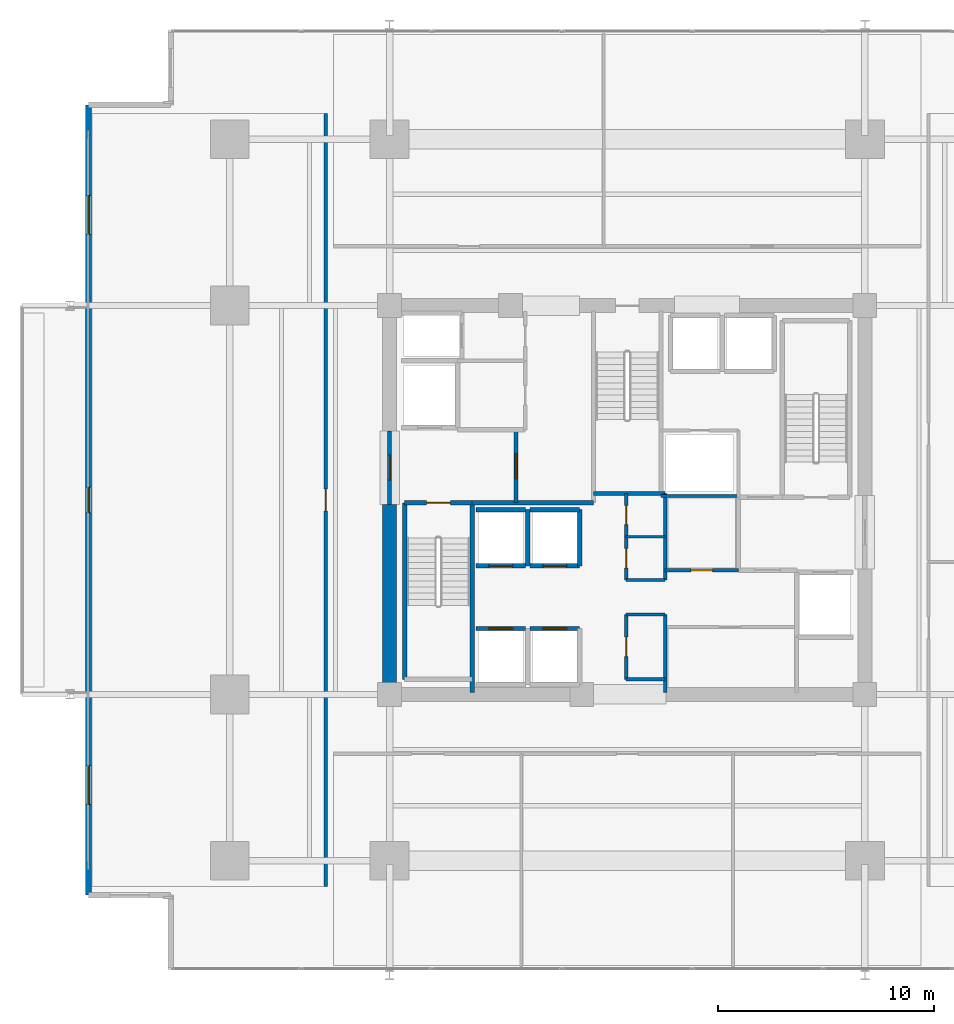
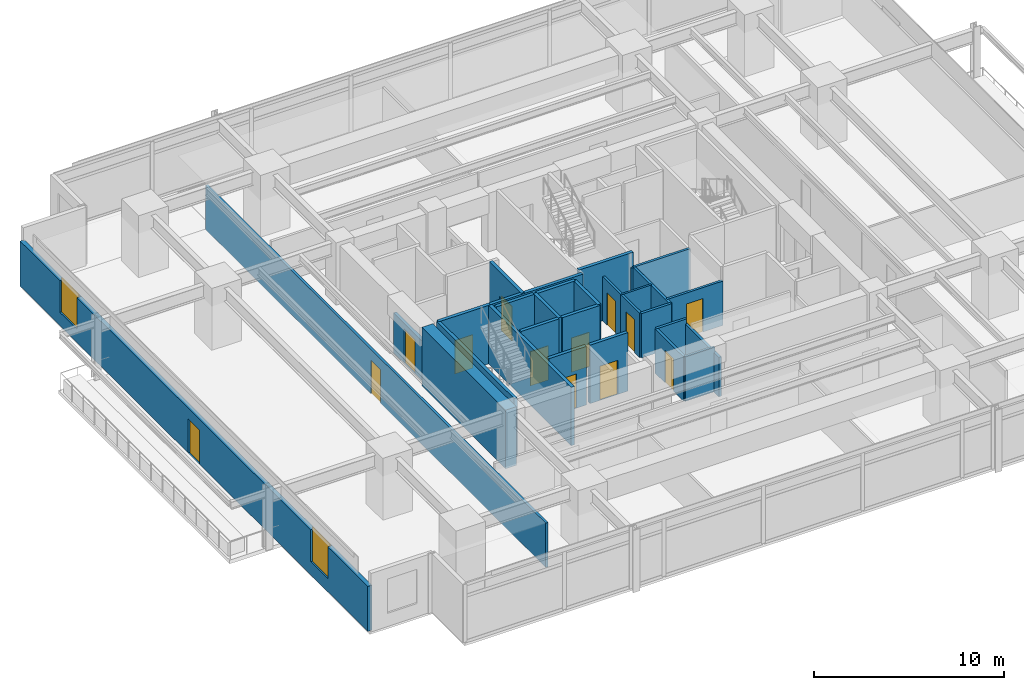
# One storey, part 15 of 21: 29 walls, 13 doors, 2 windows, 15 openings.
"""IFC4 building model written with IfcOpenShell, lengths in metres."""

from ifc_helpers import new_model, si_unit, direction, frame, frame_2d, origin, place, context, subcontext, project, spatial, rectangle, extrude, material, layer, layer_set, type_object, element, fill, save


model = new_model("IFC4")

# Units and contexts
model_context = context("Model", 3, precision=1e-05, world=origin(), true_north=direction((0.0, 1.0)))
body_context = subcontext(model_context, "Body", "Model", "MODEL_VIEW")
ifc_project = project(units=[si_unit("LENGTHUNIT", "METRE"), si_unit("AREAUNIT", "SQUARE_METRE"), si_unit("VOLUMEUNIT", "CUBIC_METRE"), si_unit("PLANEANGLEUNIT", "RADIAN"), si_unit("MASSUNIT", "GRAM", prefix="KILO")], contexts=[model_context])

# Site, building, storey
site_placement = place(None, origin())
site = spatial("IfcSite", under=ifc_project, at=site_placement, CompositionType="ELEMENT")
building_placement = place(site_placement, origin())
building = spatial("IfcBuilding", under=site, at=building_placement, Name="Kovane Verandah Tower", CompositionType="ELEMENT")
storey_placement = place(building_placement, frame((0.0, 0.0, 31.60009765625)))
storey = spatial("IfcBuildingStorey", under=building, at=storey_placement, Name="L06", CompositionType="ELEMENT", Elevation=31.60009765625)

# Walls
ifc_material_1 = material(Name="Fire-Rated Gypsum Stud Partition", Category="gypsum")
ifc_layer_1 = layer(ifc_material_1, 0.14990234375)
ifc_layer_set_1 = layer_set([ifc_layer_1], Name="Fire-Rated Gypsum Stud Partition")
wall_type_1 = type_object("IfcWallType", Name="WL-COR-150", PredefinedType="PARTITIONING", material=ifc_layer_set_1)
for number, where, z_axis, x_axis, name in (
    (1, (39.949951171875, 19.199951171875, 0.0), (0.0, 0.0, 1.0), (1.0, 0.0, 0.0), "L06 Central Core Strip South Wall"),
    (2, (39.949951171875, 22.199951171875, 0.0), (0.0, 0.0, 1.0), (1.0, 0.0, 0.0), "L06 Core Cross-Passage South Wall"),
    (3, (39.949951171875, 23.800048828125, 0.0), (0.0, 0.0, 1.0), (1.0, 0.0, 0.0), "L06 Core Cross-Passage North Wall"),
):
    element("IfcWall", number, at=place(storey_placement, frame(where, z_axis=z_axis, x_axis=x_axis)), inside=storey, type_object=wall_type_1, Name=name, PredefinedType="PARTITIONING", context=body_context, shape_type="SweptSolid", body=[
        extrude(rectangle(XDim=1.81005859375, YDim=0.14990234375, at=frame_2d((0.905029296875, 0.0))), origin(), (0.0, 0.0, 1.0), 2.849853515625),
    ])
wall_1_placement = place(storey_placement, frame((41.760009765625, 18.60009765625, 0.0), z_axis=(0.0, 0.0, 1.0), x_axis=(0.0, 1.0, 0.0)))
element("IfcWall", 4, at=wall_1_placement, inside=storey, type_object=wall_type_1, Name="L06 Central Core Strip Lower East Wall", PredefinedType="PARTITIONING", context=body_context, shape_type="SweptSolid", body=[
    extrude(rectangle(XDim=3.599853515625, YDim=0.14990234375, at=frame_2d((1.7998046875, 0.0))), origin(), (0.0, 0.0, 1.0), 2.539794921875),
])
wall_2_placement = place(storey_placement, frame((41.760009765625, 23.800048828125, 0.0), z_axis=(0.0, 0.0, 1.0), x_axis=(0.0, 1.0, 0.0)))
element("IfcWall", 5, at=wall_2_placement, inside=storey, type_object=wall_type_1, Name="L06 Central Core Strip Upper East Wall", PredefinedType="PARTITIONING", context=body_context, shape_type="SweptSolid", body=[
    extrude(rectangle(XDim=4.0, YDim=0.14990234375, at=frame_2d((2.0, 0.0))), origin(), (0.0, 0.0, 1.0), 2.849853515625),
])

# Wall, opening, door
wall_3_placement = place(storey_placement, frame((39.949951171875, 19.199951171875, 0.0), z_axis=(0.0, 0.0, 1.0), x_axis=(0.0, 1.0, 0.0)))
wall_3 = element("IfcWall", 6, at=wall_3_placement, inside=storey, type_object=wall_type_1, Name="L06 Male Toilet Partition", PredefinedType="PARTITIONING", context=body_context, shape_type="SweptSolid", body=[
    extrude(rectangle(XDim=3.0, YDim=0.14990234375, at=frame_2d((1.5, 0.0))), origin(), (0.0, 0.0, 1.0), 2.849853515625),
])
opening_1_placement = place(wall_3_placement, frame((1.050048828125, 0.0, 0.0)))
opening_1 = element("IfcOpeningElement", 7, at=opening_1_placement, cuts=wall_3, Name="Opening DR-L06-025", PredefinedType="OPENING", context=body_context, shape_type="SweptSolid", body=[
    extrude(rectangle(XDim=0.89990234375, YDim=2.10009765625, at=frame_2d((0.449951171875, 1.050048828125))), frame((0.0, 0.074951171875, 0.0), z_axis=(0.0, -1.0, 0.0), x_axis=(1.0, 0.0, 0.0)), (0.0, 0.0, 1.0), 0.14990234375),
])
ifc_material_2 = material(Name="Moisture-Resistant Laminate Washroom Door", Category="wood")
door_type_1 = type_object("IfcDoorType", Name="DR-WC-900", OperationType="SINGLE_SWING_LEFT", PredefinedType="DOOR", material=ifc_material_2)
door_1_placement = place(opening_1_placement, origin())
door_1 = element("IfcDoor", 8, at=door_1_placement, inside=storey, type_object=door_type_1, Name="L06 Male Toilet Door", OperationType="SINGLE_SWING_RIGHT", OverallHeight=2.10009765625, OverallWidth=0.89990234375, PredefinedType="DOOR", context=body_context, shape_type="SweptSolid", body=[
    extrude(rectangle(XDim=0.89990234375, YDim=2.10009765625, at=frame_2d((0.449951171875, 1.050048828125))), frame((0.0, 0.02490234375, 0.0), z_axis=(0.0, -1.0, 0.0), x_axis=(1.0, 0.0, 0.0)), (0.0, 0.0, 1.0), 0.050048828125),
])
fill(opening_1, door_1)

wall_4_placement = place(storey_placement, frame((39.949951171875, 23.800048828125, 0.0), z_axis=(0.0, 0.0, 1.0), x_axis=(0.0, 1.0, 0.0)))
wall_4 = element("IfcWall", 9, at=wall_4_placement, inside=storey, type_object=wall_type_1, Name="L06 Female Toilet Partition", PredefinedType="PARTITIONING", context=body_context, shape_type="SweptSolid", body=[
    extrude(rectangle(XDim=2.0, YDim=0.14990234375, at=frame_2d((1.0, 0.0))), origin(), (0.0, 0.0, 1.0), 2.849853515625),
])
opening_2_placement = place(wall_4_placement, frame((0.550048828125, 0.0, 0.0)))
opening_2 = element("IfcOpeningElement", 10, at=opening_2_placement, cuts=wall_4, Name="Opening DR-L06-024", PredefinedType="OPENING", context=body_context, shape_type="SweptSolid", body=[
    extrude(rectangle(XDim=0.89990234375, YDim=2.10009765625, at=frame_2d((0.449951171875, 1.050048828125))), frame((0.0, 0.074951171875, 0.0), z_axis=(0.0, -1.0, 0.0), x_axis=(1.0, 0.0, 0.0)), (0.0, 0.0, 1.0), 0.14990234375),
])
door_2_placement = place(opening_2_placement, origin())
door_2 = element("IfcDoor", 11, at=door_2_placement, inside=storey, type_object=door_type_1, Name="L06 Female Toilet Door", OperationType="SINGLE_SWING_LEFT", OverallHeight=2.10009765625, OverallWidth=0.89990234375, PredefinedType="DOOR", context=body_context, shape_type="SweptSolid", body=[
    extrude(rectangle(XDim=0.89990234375, YDim=2.10009765625, at=frame_2d((0.449951171875, 1.050048828125))), frame((0.0, 0.02490234375, 0.0), z_axis=(0.0, -1.0, 0.0), x_axis=(1.0, 0.0, 0.0)), (0.0, 0.0, 1.0), 0.050048828125),
])
fill(opening_2, door_2)

wall_5_placement = place(storey_placement, frame((39.949951171875, 25.800048828125, 0.0), z_axis=(0.0, 0.0, 1.0), x_axis=(0.0, 1.0, 0.0)))
wall_5 = element("IfcWall", 12, at=wall_5_placement, inside=storey, type_object=wall_type_1, Name="L06 Telecom and BMS Riser Room Partition", PredefinedType="PARTITIONING", context=body_context, shape_type="SweptSolid", body=[
    extrude(rectangle(XDim=2.0, YDim=0.14990234375, at=frame_2d((1.0, 0.0))), origin(), (0.0, 0.0, 1.0), 2.849853515625),
])
opening_3_placement = place(wall_5_placement, frame((0.56005859375, 0.0, 0.0)))
opening_3 = element("IfcOpeningElement", 13, at=opening_3_placement, cuts=wall_5, Name="Opening DR-L06-022", PredefinedType="OPENING", context=body_context, shape_type="SweptSolid", body=[
    extrude(rectangle(XDim=0.8798828125, YDim=2.10009765625, at=frame_2d((0.43994140625, 1.050048828125))), frame((0.0, 0.074951171875, 0.0), z_axis=(0.0, -1.0, 0.0), x_axis=(1.0, 0.0, 0.0)), (0.0, 0.0, 1.0), 0.14990234375),
])
ifc_material_3 = material(Name="Fire-Rated Steel Riser Access Door", Category="steel")
door_type_2 = type_object("IfcDoorType", Name="DR-RISER-880", OperationType="SINGLE_SWING_LEFT", PredefinedType="DOOR", material=ifc_material_3)
door_3_placement = place(opening_3_placement, origin())
door_3 = element("IfcDoor", 14, at=door_3_placement, inside=storey, type_object=door_type_2, Name="L06 Telecom and BMS Riser Room Door", OperationType="SINGLE_SWING_RIGHT", OverallHeight=2.10009765625, OverallWidth=0.8798828125, PredefinedType="DOOR", context=body_context, shape_type="SweptSolid", body=[
    extrude(rectangle(XDim=0.8798828125, YDim=2.10009765625, at=frame_2d((0.43994140625, 1.050048828125))), frame((0.0, 0.02490234375, 0.0), z_axis=(0.0, -1.0, 0.0), x_axis=(1.0, 0.0, 0.0)), (0.0, 0.0, 1.0), 0.050048828125),
])
fill(opening_3, door_3)

# Wall
wall_6_placement = place(storey_placement, frame((41.56005859375, 27.679931640625, 0.0), z_axis=(0.0, 0.0, 1.0), x_axis=(1.0, 0.0, 0.0)))
element("IfcWall", 15, at=wall_6_placement, inside=storey, type_object=wall_type_1, Name="L06 East Core Service Riser South Wall", PredefinedType="PARTITIONING", context=body_context, shape_type="SweptSolid", body=[
    extrude(rectangle(XDim=3.58984375, YDim=0.14990234375, at=frame_2d((1.794921875, 0.0))), origin(), (0.0, 0.0, 1.0), 2.849853515625),
])

# Wall, opening, door
wall_7_placement = place(storey_placement, frame((41.760009765625, 24.25, 0.0), z_axis=(0.0, 0.0, 1.0), x_axis=(1.0, 0.0, 0.0)))
wall_7 = element("IfcWall", 16, at=wall_7_placement, inside=storey, type_object=wall_type_1, Name="L06 Document Archive Room Partition", PredefinedType="PARTITIONING", context=body_context, shape_type="SweptSolid", body=[
    extrude(rectangle(XDim=3.389892578125, YDim=0.14990234375, at=frame_2d((1.69482421875, 0.0))), origin(), (0.0, 0.0, 1.0), 2.849853515625),
])
opening_4_placement = place(wall_7_placement, frame((1.195068359375, 0.0, 0.0)))
opening_4 = element("IfcOpeningElement", 17, at=opening_4_placement, cuts=wall_7, Name="Opening DR-L06-015", PredefinedType="OPENING", context=body_context, shape_type="SweptSolid", body=[
    extrude(rectangle(XDim=1.0, YDim=2.14990234375, at=frame_2d((0.5, 1.074951171875))), frame((0.0, 0.074951171875, 0.0), z_axis=(0.0, -1.0, 0.0), x_axis=(1.0, 0.0, 0.0)), (0.0, 0.0, 1.0), 0.14990234375),
])
ifc_material_4 = material(Name="FSC Spotted-Gum Timber Fire-Rated Office Door", Category="wood")
door_type_3 = type_object("IfcDoorType", Name="DR-OFF-1000", OperationType="SINGLE_SWING_LEFT", PredefinedType="DOOR", material=ifc_material_4)
door_4_placement = place(opening_4_placement, origin())
door_4 = element("IfcDoor", 18, at=door_4_placement, inside=storey, type_object=door_type_3, Name="L06 Document Archive Room Door", OperationType="SINGLE_SWING_RIGHT", OverallHeight=2.14990234375, OverallWidth=1.0, PredefinedType="DOOR", context=body_context, shape_type="SweptSolid", body=[
    extrude(rectangle(XDim=1.0, YDim=2.14990234375, at=frame_2d((0.5, 1.074951171875))), frame((0.0, 0.02490234375, 0.0), z_axis=(0.0, -1.0, 0.0), x_axis=(1.0, 0.0, 0.0)), (0.0, 0.0, 1.0), 0.050048828125),
])
fill(opening_4, door_4)

wall_8_placement = place(storey_placement, frame((26.050048828125, 9.60498046875, 0.0), z_axis=(0.0, 0.0, 1.0), x_axis=(0.0, 1.0, 0.0)))
wall_8 = element("IfcWall", 19, at=wall_8_placement, inside=storey, type_object=wall_type_1, Name="L06 Breakout Pantry W1 Corridor Partition", PredefinedType="PARTITIONING", context=body_context, shape_type="SweptSolid", body=[
    extrude(rectangle(XDim=35.7900390625, YDim=0.14990234375, at=frame_2d((17.89501953125, 0.0))), origin(), (0.0, 0.0, 1.0), 2.849853515625),
])
opening_5_placement = place(wall_8_placement, frame((17.39501953125, 0.0, 0.0)))
opening_5 = element("IfcOpeningElement", 20, at=opening_5_placement, cuts=wall_8, Name="Opening DR-L06-026", PredefinedType="OPENING", context=body_context, shape_type="SweptSolid", body=[
    extrude(rectangle(XDim=1.0, YDim=2.14990234375, at=frame_2d((0.5, 1.074951171875))), frame((0.0, 0.074951171875, 0.0), z_axis=(0.0, -1.0, 0.0), x_axis=(1.0, 0.0, 0.0)), (0.0, 0.0, 1.0), 0.14990234375),
])
door_5_placement = place(opening_5_placement, origin())
door_5 = element("IfcDoor", 21, at=door_5_placement, inside=storey, type_object=door_type_3, Name="L06 Breakout Pantry W1 Entrance Door", OperationType="SINGLE_SWING_LEFT", OverallHeight=2.14990234375, OverallWidth=1.0, PredefinedType="DOOR", context=body_context, shape_type="SweptSolid", body=[
    extrude(rectangle(XDim=1.0, YDim=2.14990234375, at=frame_2d((0.5, 1.074951171875))), frame((0.0, 0.02490234375, 0.0), z_axis=(0.0, -1.0, 0.0), x_axis=(1.0, 0.0, 0.0)), (0.0, 0.0, 1.0), 0.050048828125),
])
fill(opening_5, door_5)

# Wall
ifc_material_5 = material(Name="Concrete C80/95", Category="concrete")
ifc_layer_2 = layer(ifc_material_5, 0.64990234375)
ifc_layer_set_2 = layer_set([ifc_layer_2], Name="Concrete C80/95")
wall_type_2 = type_object("IfcWallType", Name="WL-CORE-650", PredefinedType="SHEAR", material=ifc_layer_set_2)
wall_9_placement = place(storey_placement, frame((29.0, 18.5, 0.0), z_axis=(0.0, 0.0, 1.0), x_axis=(0.0, 1.0, 0.0)))
element("IfcWall", 22, at=wall_9_placement, inside=storey, type_object=wall_type_2, Name="L06 Core Shear Wall CW-1", PredefinedType="SHEAR", context=body_context, shape_type="SweptSolid", body=[
    extrude(rectangle(XDim=8.800048828125, YDim=0.64990234375, at=frame_2d((4.39990234375, 0.0))), origin(), (0.0, 0.0, 1.0), 3.760009765625),
])

# Wall, opening, door
ifc_material_6 = material(Name="Concrete C45/55 Fire Wall", Category="concrete")
ifc_layer_3 = layer(ifc_material_6, 0.199951171875)
ifc_layer_set_3 = layer_set([ifc_layer_3], Name="Concrete C45/55 Fire Wall")
wall_type_3 = type_object("IfcWallType", Name="WL-FFL-200", PredefinedType="PARTITIONING", material=ifc_layer_set_3)
wall_10_placement = place(storey_placement, frame((34.85009765625, 27.3798828125, 0.0), z_axis=(0.0, 0.0, 1.0), x_axis=(0.0, 1.0, 0.0)))
wall_10 = element("IfcWall", 23, at=wall_10_placement, inside=storey, type_object=wall_type_3, Name="W-L06-FFLW-E", PredefinedType="PARTITIONING", context=body_context, shape_type="SweptSolid", body=[
    extrude(rectangle(XDim=3.3701171875, YDim=0.199951171875, at=frame_2d((1.68505859375, 0.0))), origin(), (0.0, 0.0, 1.0), 3.760009765625),
])
opening_6_placement = place(wall_10_placement, frame((1.110107421875, 0.0, 0.0)))
opening_6 = element("IfcOpeningElement", 24, at=opening_6_placement, cuts=wall_10, Name="Opening DR-L06-006", PredefinedType="OPENING", context=body_context, shape_type="SweptSolid", body=[
    extrude(rectangle(XDim=1.14990234375, YDim=2.199951171875, at=frame_2d((0.574951171875, 1.10009765625))), frame((0.0, 0.10009765625, 0.0), z_axis=(0.0, -1.0, 0.0), x_axis=(1.0, 0.0, 0.0)), (0.0, 0.0, 1.0), 0.199951171875),
])
ifc_material_7 = material(Name="Smoke-Sealed Firefighting Lobby Door", Category="steel")
door_type_4 = type_object("IfcDoorType", Name="DR-FFL-1150", OperationType="SINGLE_SWING_LEFT", PredefinedType="DOOR", material=ifc_material_7)
door_6_placement = place(opening_6_placement, origin())
door_6 = element("IfcDoor", 25, at=door_6_placement, inside=storey, type_object=door_type_4, Name="L06 West Firefighting Lobby Inner Door", OperationType="SINGLE_SWING_LEFT", OverallHeight=2.199951171875, OverallWidth=1.14990234375, PredefinedType="DOOR", context=body_context, shape_type="SweptSolid", body=[
    extrude(rectangle(XDim=1.14990234375, YDim=2.199951171875, at=frame_2d((0.574951171875, 1.10009765625))), frame((0.0, 0.02490234375, 0.0), z_axis=(0.0, -1.0, 0.0), x_axis=(1.0, 0.0, 0.0)), (0.0, 0.0, 1.0), 0.050048828125),
])
fill(opening_6, door_6)

wall_11_placement = place(storey_placement, frame((29.0, 27.300048828125, 0.0), z_axis=(0.0, 0.0, 1.0), x_axis=(0.0, 1.0, 0.0)))
wall_11 = element("IfcWall", 26, at=wall_11_placement, inside=storey, type_object=wall_type_3, Name="W-L06-FFLW-OUT", PredefinedType="PARTITIONING", context=body_context, shape_type="SweptSolid", body=[
    extrude(rectangle(XDim=3.39990234375, YDim=0.199951171875, at=frame_2d((1.699951171875, 0.0))), origin(), (0.0, 0.0, 1.0), 2.539794921875),
])
opening_7_placement = place(wall_11_placement, frame((1.125, 0.0, 0.0)))
opening_7 = element("IfcOpeningElement", 27, at=opening_7_placement, cuts=wall_11, Name="Opening DR-L06-007", PredefinedType="OPENING", context=body_context, shape_type="SweptSolid", body=[
    extrude(rectangle(XDim=1.14990234375, YDim=2.199951171875, at=frame_2d((0.574951171875, 1.10009765625))), frame((0.0, 0.10009765625, 0.0), z_axis=(0.0, -1.0, 0.0), x_axis=(1.0, 0.0, 0.0)), (0.0, 0.0, 1.0), 0.199951171875),
])
door_7_placement = place(opening_7_placement, origin())
door_7 = element("IfcDoor", 28, at=door_7_placement, inside=storey, type_object=door_type_4, Name="L06 West Firefighting Lobby Corridor Door", OperationType="SINGLE_SWING_RIGHT", OverallHeight=2.199951171875, OverallWidth=1.14990234375, PredefinedType="DOOR", context=body_context, shape_type="SweptSolid", body=[
    extrude(rectangle(XDim=1.14990234375, YDim=2.199951171875, at=frame_2d((0.574951171875, 1.10009765625))), frame((0.0, 0.02490234375, 0.0), z_axis=(0.0, -1.0, 0.0), x_axis=(1.0, 0.0, 0.0)), (0.0, 0.0, 1.0), 0.050048828125),
])
fill(opening_7, door_7)

# Wall
wall_12_placement = place(storey_placement, frame((32.820068359375, 27.3798828125, 0.0), z_axis=(0.0, 0.0, 1.0), x_axis=(1.0, 0.0, 0.0)))
element("IfcWall", 29, at=wall_12_placement, inside=storey, type_object=wall_type_3, Name="L06 West Firefighting Lobby South Fire Wall", PredefinedType="PARTITIONING", context=body_context, shape_type="SweptSolid", body=[
    extrude(rectangle(XDim=5.619873046875, YDim=0.199951171875, at=frame_2d((2.81005859375, 0.0))), origin(), (0.0, 0.0, 1.0), 3.760009765625),
])

# Wall, opening, door
ifc_material_8 = material(Name="Concrete C45/55 Lift Shaft Wall", Category="concrete")
ifc_layer_4 = layer(ifc_material_8, 0.199951171875)
ifc_layer_set_4 = layer_set([ifc_layer_4], Name="Concrete C45/55 Lift Shaft Wall")
wall_type_4 = type_object("IfcWallType", Name="WL-LIFT-200", PredefinedType="SOLIDWALL", material=ifc_layer_set_4)
wall_13_placement = place(storey_placement, frame((35.300048828125, 21.550048828125, 0.0), z_axis=(0.0, 0.0, 1.0), x_axis=(-1.0, 0.0, 0.0)))
wall_13 = element("IfcWall", 30, at=wall_13_placement, inside=storey, type_object=wall_type_4, Name="L06 Lift PL-L1 N Shaft Wall", PredefinedType="SOLIDWALL", context=body_context, shape_type="SweptSolid", body=[
    extrude(rectangle(XDim=2.300048828125, YDim=0.199951171875, at=frame_2d((1.14990234375, 0.0))), origin(), (0.0, 0.0, 1.0), 3.760009765625),
])
opening_8_placement = place(wall_13_placement, frame((0.60009765625, 0.0, 0.0)))
opening_8 = element("IfcOpeningElement", 31, at=opening_8_placement, cuts=wall_13, Name="Opening LD-L06-004", PredefinedType="OPENING", context=body_context, shape_type="SweptSolid", body=[
    extrude(rectangle(XDim=1.10009765625, YDim=2.199951171875, at=frame_2d((0.550048828125, 1.10009765625))), frame((0.0, 0.10009765625, 0.0), z_axis=(0.0, -1.0, 0.0), x_axis=(1.0, 0.0, 0.0)), (0.0, 0.0, 1.0), 0.199951171875),
])
ifc_material_9 = material(Name="Brushed Stainless Steel Sliding Lift Landing Door", Category="steel")
door_type_5 = type_object("IfcDoorType", Name="DR-LIFT-1100", OperationType="SLIDING_TO_RIGHT", PredefinedType="DOOR", material=ifc_material_9)
door_8_placement = place(opening_8_placement, origin())
door_8 = element("IfcDoor", 32, at=door_8_placement, inside=storey, type_object=door_type_5, Name="L06 Lift PL-L1 Sliding Landing Door", OperationType="SLIDING_TO_RIGHT", OverallHeight=2.199951171875, OverallWidth=1.10009765625, PredefinedType="DOOR", context=body_context, shape_type="SweptSolid", body=[
    extrude(rectangle(XDim=1.10009765625, YDim=2.199951171875, at=frame_2d((0.550048828125, 1.10009765625))), frame((0.0, 0.02490234375, 0.0), z_axis=(0.0, -1.0, 0.0), x_axis=(1.0, 0.0, 0.0)), (0.0, 0.0, 1.0), 0.050048828125),
])
fill(opening_8, door_8)

wall_14_placement = place(storey_placement, frame((37.800048828125, 21.550048828125, 0.0), z_axis=(0.0, 0.0, 1.0), x_axis=(-1.0, 0.0, 0.0)))
wall_14 = element("IfcWall", 33, at=wall_14_placement, inside=storey, type_object=wall_type_4, Name="L06 Lift PL-L2 N Shaft Wall", PredefinedType="SOLIDWALL", context=body_context, shape_type="SweptSolid", body=[
    extrude(rectangle(XDim=2.300048828125, YDim=0.199951171875, at=frame_2d((1.14990234375, 0.0))), origin(), (0.0, 0.0, 1.0), 3.760009765625),
])
opening_9_placement = place(wall_14_placement, frame((0.60009765625, 0.0, 0.0)))
opening_9 = element("IfcOpeningElement", 34, at=opening_9_placement, cuts=wall_14, Name="Opening LD-L06-005", PredefinedType="OPENING", context=body_context, shape_type="SweptSolid", body=[
    extrude(rectangle(XDim=1.10009765625, YDim=2.199951171875, at=frame_2d((0.550048828125, 1.10009765625))), frame((0.0, 0.10009765625, 0.0), z_axis=(0.0, -1.0, 0.0), x_axis=(1.0, 0.0, 0.0)), (0.0, 0.0, 1.0), 0.199951171875),
])
door_9_placement = place(opening_9_placement, origin())
door_9 = element("IfcDoor", 35, at=door_9_placement, inside=storey, type_object=door_type_5, Name="L06 Lift PL-L2 Sliding Landing Door", OperationType="SLIDING_TO_RIGHT", OverallHeight=2.199951171875, OverallWidth=1.10009765625, PredefinedType="DOOR", context=body_context, shape_type="SweptSolid", body=[
    extrude(rectangle(XDim=1.10009765625, YDim=2.199951171875, at=frame_2d((0.550048828125, 1.10009765625))), frame((0.0, 0.02490234375, 0.0), z_axis=(0.0, -1.0, 0.0), x_axis=(1.0, 0.0, 0.0)), (0.0, 0.0, 1.0), 0.050048828125),
])
fill(opening_9, door_9)

wall_15_placement = place(storey_placement, frame((33.0, 24.449951171875, 0.0), z_axis=(0.0, 0.0, 1.0), x_axis=(1.0, 0.0, 0.0)))
wall_15 = element("IfcWall", 36, at=wall_15_placement, inside=storey, type_object=wall_type_4, Name="L06 Lift PL-L3 S Shaft Wall", PredefinedType="SOLIDWALL", context=body_context, shape_type="SweptSolid", body=[
    extrude(rectangle(XDim=2.300048828125, YDim=0.199951171875, at=frame_2d((1.14990234375, 0.0))), origin(), (0.0, 0.0, 1.0), 3.760009765625),
])
opening_10_placement = place(wall_15_placement, frame((0.60009765625, 0.0, 0.0)))
opening_10 = element("IfcOpeningElement", 37, at=opening_10_placement, cuts=wall_15, Name="Opening LD-L06-006", PredefinedType="OPENING", context=body_context, shape_type="SweptSolid", body=[
    extrude(rectangle(XDim=1.10009765625, YDim=2.199951171875, at=frame_2d((0.550048828125, 1.10009765625))), frame((0.0, 0.10009765625, 0.0), z_axis=(0.0, -1.0, 0.0), x_axis=(1.0, 0.0, 0.0)), (0.0, 0.0, 1.0), 0.199951171875),
])
door_10_placement = place(opening_10_placement, origin())
door_10 = element("IfcDoor", 38, at=door_10_placement, inside=storey, type_object=door_type_5, Name="L06 Lift PL-L3 Sliding Landing Door", OperationType="SLIDING_TO_RIGHT", OverallHeight=2.199951171875, OverallWidth=1.10009765625, PredefinedType="DOOR", context=body_context, shape_type="SweptSolid", body=[
    extrude(rectangle(XDim=1.10009765625, YDim=2.199951171875, at=frame_2d((0.550048828125, 1.10009765625))), frame((0.0, 0.02490234375, 0.0), z_axis=(0.0, -1.0, 0.0), x_axis=(1.0, 0.0, 0.0)), (0.0, 0.0, 1.0), 0.050048828125),
])
fill(opening_10, door_10)

# Walls
wall_16_placement = place(storey_placement, frame((35.300048828125, 27.050048828125, 0.0), z_axis=(0.0, 0.0, 1.0), x_axis=(-1.0, 0.0, 0.0)))
element("IfcWall", 39, at=wall_16_placement, inside=storey, type_object=wall_type_4, Name="L06 Lift PL-L3 N Shaft Wall", PredefinedType="SOLIDWALL", context=body_context, shape_type="SweptSolid", body=[
    extrude(rectangle(XDim=2.300048828125, YDim=0.199951171875, at=frame_2d((1.14990234375, 0.0))), origin(), (0.0, 0.0, 1.0), 3.760009765625),
])
wall_17_placement = place(storey_placement, frame((35.39990234375, 24.449951171875, 0.0), z_axis=(0.0, 0.0, 1.0), x_axis=(0.0, 1.0, 0.0)))
element("IfcWall", 40, at=wall_17_placement, inside=storey, type_object=wall_type_4, Name="L06 Lift PL-L3 and PL-L4 Shared Shaft Wall", PredefinedType="SOLIDWALL", context=body_context, shape_type="SweptSolid", body=[
    extrude(rectangle(XDim=2.60009765625, YDim=0.199951171875, at=frame_2d((1.300048828125, 0.0))), origin(), (0.0, 0.0, 1.0), 3.760009765625),
])

# Wall, opening, door
wall_18_placement = place(storey_placement, frame((35.5, 24.449951171875, 0.0), z_axis=(0.0, 0.0, 1.0), x_axis=(1.0, 0.0, 0.0)))
wall_18 = element("IfcWall", 41, at=wall_18_placement, inside=storey, type_object=wall_type_4, Name="L06 Lift PL-L4 S Shaft Wall", PredefinedType="SOLIDWALL", context=body_context, shape_type="SweptSolid", body=[
    extrude(rectangle(XDim=2.300048828125, YDim=0.199951171875, at=frame_2d((1.14990234375, 0.0))), origin(), (0.0, 0.0, 1.0), 3.760009765625),
])
opening_11_placement = place(wall_18_placement, frame((0.60009765625, 0.0, 0.0)))
opening_11 = element("IfcOpeningElement", 42, at=opening_11_placement, cuts=wall_18, Name="Opening LD-L06-007", PredefinedType="OPENING", context=body_context, shape_type="SweptSolid", body=[
    extrude(rectangle(XDim=1.10009765625, YDim=2.199951171875, at=frame_2d((0.550048828125, 1.10009765625))), frame((0.0, 0.10009765625, 0.0), z_axis=(0.0, -1.0, 0.0), x_axis=(1.0, 0.0, 0.0)), (0.0, 0.0, 1.0), 0.199951171875),
])
door_11_placement = place(opening_11_placement, origin())
door_11 = element("IfcDoor", 43, at=door_11_placement, inside=storey, type_object=door_type_5, Name="L06 Lift PL-L4 Sliding Landing Door", OperationType="SLIDING_TO_RIGHT", OverallHeight=2.199951171875, OverallWidth=1.10009765625, PredefinedType="DOOR", context=body_context, shape_type="SweptSolid", body=[
    extrude(rectangle(XDim=1.10009765625, YDim=2.199951171875, at=frame_2d((0.550048828125, 1.10009765625))), frame((0.0, 0.02490234375, 0.0), z_axis=(0.0, -1.0, 0.0), x_axis=(1.0, 0.0, 0.0)), (0.0, 0.0, 1.0), 0.050048828125),
])
fill(opening_11, door_11)

# Walls
wall_19_placement = place(storey_placement, frame((37.800048828125, 27.050048828125, 0.0), z_axis=(0.0, 0.0, 1.0), x_axis=(-1.0, 0.0, 0.0)))
element("IfcWall", 44, at=wall_19_placement, inside=storey, type_object=wall_type_4, Name="L06 Lift PL-L4 N Shaft Wall", PredefinedType="SOLIDWALL", context=body_context, shape_type="SweptSolid", body=[
    extrude(rectangle(XDim=2.300048828125, YDim=0.199951171875, at=frame_2d((1.14990234375, 0.0))), origin(), (0.0, 0.0, 1.0), 3.760009765625),
])
wall_20_placement = place(storey_placement, frame((37.800048828125, 24.449951171875, 0.0), z_axis=(0.0, 0.0, 1.0), x_axis=(0.0, 1.0, 0.0)))
element("IfcWall", 45, at=wall_20_placement, inside=storey, type_object=wall_type_4, Name="L06 Lift PL-L4 E Shaft Wall", PredefinedType="SOLIDWALL", context=body_context, shape_type="SweptSolid", body=[
    extrude(rectangle(XDim=2.60009765625, YDim=0.199951171875, at=frame_2d((1.300048828125, 0.0))), origin(), (0.0, 0.0, 1.0), 3.760009765625),
])
ifc_material_10 = material(Name="Acoustic Fire-Rated Gypsum Partition", Category="gypsum")
ifc_layer_5 = layer(ifc_material_10, 0.1201171875)
ifc_layer_set_5 = layer_set([ifc_layer_5], Name="Acoustic Fire-Rated Gypsum Partition")
wall_type_5 = type_object("IfcWallType", Name="WL-PART-120", PredefinedType="PARTITIONING", material=ifc_layer_set_5)
wall_21_placement = place(storey_placement, frame((39.949951171875, 25.800048828125, 0.0), z_axis=(0.0, 0.0, 1.0), x_axis=(1.0, 0.0, 0.0)))
element("IfcWall", 46, at=wall_21_placement, inside=storey, type_object=wall_type_5, Name="L06 Central Core Strip Upper Dividing Partition", PredefinedType="PARTITIONING", context=body_context, shape_type="SweptSolid", body=[
    extrude(rectangle(XDim=1.81005859375, YDim=0.1201171875, at=frame_2d((0.905029296875, 0.0))), origin(), (0.0, 0.0, 1.0), 2.849853515625),
])
ifc_material_11 = material(Name="Concrete C45/55", Category="concrete")
ifc_layer_6 = layer(ifc_material_11, 0.199951171875)
ifc_layer_set_6 = layer_set([ifc_layer_6], Name="Concrete C45/55")
wall_type_6 = type_object("IfcWallType", Name="WL-SHAFT-200", PredefinedType="SOLIDWALL", material=ifc_layer_set_6)
wall_22_placement = place(storey_placement, frame((29.699951171875, 19.199951171875, 0.0), z_axis=(0.0, 0.0, 1.0), x_axis=(0.0, 1.0, 0.0)))
element("IfcWall", 47, at=wall_22_placement, inside=storey, type_object=wall_type_6, Name="W-L06-ST01-W", PredefinedType="SOLIDWALL", context=body_context, shape_type="SweptSolid", body=[
    extrude(rectangle(XDim=8.150146484375, YDim=0.199951171875, at=frame_2d((4.0751953125, 0.0))), origin(), (0.0, 0.0, 1.0), 3.760009765625),
])
wall_23_placement = place(storey_placement, frame((32.820068359375, 18.60009765625, 0.0), z_axis=(0.0, 0.0, 1.0), x_axis=(0.0, 1.0, 0.0)))
element("IfcWall", 48, at=wall_23_placement, inside=storey, type_object=wall_type_6, Name="W-L06-ST01-E", PredefinedType="SOLIDWALL", context=body_context, shape_type="SweptSolid", body=[
    extrude(rectangle(XDim=8.77978515625, YDim=0.199951171875, at=frame_2d((4.389892578125, 0.0))), origin(), (0.0, 0.0, 1.0), 3.760009765625),
])

# Wall, opening, door
wall_24_placement = place(storey_placement, frame((29.699951171875, 27.3798828125, 0.0), z_axis=(0.0, 0.0, 1.0), x_axis=(1.0, 0.0, 0.0)))
wall_24 = element("IfcWall", 49, at=wall_24_placement, inside=storey, type_object=wall_type_6, Name="W-L06-ST01-N", PredefinedType="SOLIDWALL", context=body_context, shape_type="SweptSolid", body=[
    extrude(rectangle(XDim=3.1201171875, YDim=0.199951171875, at=frame_2d((1.56005859375, 0.0))), origin(), (0.0, 0.0, 1.0), 3.760009765625),
])
opening_12_placement = place(wall_24_placement, frame((1.010009765625, 0.0, 0.0)))
opening_12 = element("IfcOpeningElement", 50, at=opening_12_placement, cuts=wall_24, Name="Opening DR-L06-009", PredefinedType="OPENING", context=body_context, shape_type="SweptSolid", body=[
    extrude(rectangle(XDim=1.10009765625, YDim=2.14990234375, at=frame_2d((0.550048828125, 1.074951171875))), frame((0.0, 0.10009765625, 0.0), z_axis=(0.0, -1.0, 0.0), x_axis=(1.0, 0.0, 0.0)), (0.0, 0.0, 1.0), 0.199951171875),
])
ifc_material_12 = material(Name="Fire-Rated Steel Exit Door", Category="steel")
door_type_6 = type_object("IfcDoorType", Name="DR-STAIR-1100", OperationType="SINGLE_SWING_LEFT", PredefinedType="DOOR", material=ifc_material_12)
door_12_placement = place(opening_12_placement, origin())
door_12 = element("IfcDoor", 51, at=door_12_placement, inside=storey, type_object=door_type_6, Name="L06 ST-01 Fire Exit Stair Door", OperationType="SINGLE_SWING_LEFT", OverallHeight=2.14990234375, OverallWidth=1.10009765625, PredefinedType="DOOR", context=body_context, shape_type="SweptSolid", body=[
    extrude(rectangle(XDim=1.10009765625, YDim=2.14990234375, at=frame_2d((0.550048828125, 1.074951171875))), frame((0.0, 0.02490234375, 0.0), z_axis=(0.0, -1.0, 0.0), x_axis=(1.0, 0.0, 0.0)), (0.0, 0.0, 1.0), 0.050048828125),
])
fill(opening_12, door_12)

# Wall
wall_25_placement = place(storey_placement, frame((38.43994140625, 27.800048828125, 0.0), z_axis=(0.0, 0.0, 1.0), x_axis=(1.0, 0.0, 0.0)))
element("IfcWall", 52, at=wall_25_placement, inside=storey, type_object=wall_type_6, Name="W-L06-ST03-S", PredefinedType="SOLIDWALL", context=body_context, shape_type="SweptSolid", body=[
    extrude(rectangle(XDim=3.320068359375, YDim=0.199951171875, at=frame_2d((1.66015625, 0.0))), origin(), (0.0, 0.0, 1.0), 3.760009765625),
])

# Wall, openings, door, windows
ifc_material_13 = material(Name="Concrete C45/55 Insulated Spandrel Wall", Category="concrete")
ifc_layer_7 = layer(ifc_material_13, 0.260009765625)
ifc_layer_set_7 = layer_set([ifc_layer_7], Name="Concrete C45/55 Insulated Spandrel Wall")
wall_type_7 = type_object("IfcWallType", Name="WL-SPANDREL-260", PredefinedType="PARAPET", material=ifc_layer_set_7)
wall_26_placement = place(storey_placement, frame((15.064208984375, 45.794921875, 0.0), z_axis=(0.0, 0.0, 1.0), x_axis=(0.0, -1.0, 0.0)))
wall_26 = element("IfcWall", 53, at=wall_26_placement, inside=storey, type_object=wall_type_7, Name="L06 W Verandah Access Facade Wall", PredefinedType="PARAPET", context=body_context, shape_type="SweptSolid", body=[
    extrude(rectangle(XDim=36.58984375, YDim=0.260009765625, at=frame_2d((18.294921875, 0.0))), origin(), (0.0, 0.0, 1.0), 2.88916015625),
])
opening_13_placement = place(wall_26_placement, frame((4.199951171875, 0.0, 0.85009765625)))
opening_13 = element("IfcOpeningElement", 54, at=opening_13_placement, cuts=wall_26, Name="Opening W-03", PredefinedType="OPENING", context=body_context, shape_type="SweptSolid", body=[
    extrude(rectangle(XDim=1.800048828125, YDim=2.199951171875, at=frame_2d((0.89990234375, 1.10009765625))), frame((0.0, 0.1298828125, 0.0), z_axis=(0.0, -1.0, 0.0), x_axis=(1.0, 0.0, 0.0)), (0.0, 0.0, 1.0), 0.260009765625),
])
opening_14_placement = place(wall_26_placement, frame((17.695068359375, 0.0, 0.0)))
opening_14 = element("IfcOpeningElement", 55, at=opening_14_placement, cuts=wall_26, Name="Opening DR-L06-002", PredefinedType="OPENING", context=body_context, shape_type="SweptSolid", body=[
    extrude(rectangle(XDim=1.199951171875, YDim=2.199951171875, at=frame_2d((0.60009765625, 1.10009765625))), frame((0.0, 0.1298828125, 0.0), z_axis=(0.0, -1.0, 0.0), x_axis=(1.0, 0.0, 0.0)), (0.0, 0.0, 1.0), 0.260009765625),
])
opening_15_placement = place(wall_26_placement, frame((30.590087890625, 0.0, 0.85009765625)))
opening_15 = element("IfcOpeningElement", 56, at=opening_15_placement, cuts=wall_26, Name="Opening W-03", PredefinedType="OPENING", context=body_context, shape_type="SweptSolid", body=[
    extrude(rectangle(XDim=1.800048828125, YDim=2.199951171875, at=frame_2d((0.89990234375, 1.10009765625))), frame((0.0, 0.1298828125, 0.0), z_axis=(0.0, -1.0, 0.0), x_axis=(1.0, 0.0, 0.0)), (0.0, 0.0, 1.0), 0.260009765625),
])
ifc_material_14 = material(Name="Cyclone-Rated Glazed Balcony Leaf Door", Category="aluminium")
door_type_7 = type_object("IfcDoorType", Name="DR-BAL-1200x2200", OperationType="SINGLE_SWING_LEFT", PredefinedType="DOOR", material=ifc_material_14)
door_13_placement = place(opening_14_placement, origin())
door_13 = element("IfcDoor", 57, at=door_13_placement, inside=storey, type_object=door_type_7, Name="L06 W Planted Balcony Access Door", OperationType="SINGLE_SWING_LEFT", OverallHeight=2.199951171875, OverallWidth=1.199951171875, PredefinedType="DOOR", context=body_context, shape_type="SweptSolid", body=[
    extrude(rectangle(XDim=1.199951171875, YDim=2.199951171875, at=frame_2d((0.60009765625, 1.10009765625))), frame((0.0, 0.02490234375, 0.0), z_axis=(0.0, -1.0, 0.0), x_axis=(1.0, 0.0, 0.0)), (0.0, 0.0, 1.0), 0.050048828125),
])
fill(opening_14, door_13)
ifc_material_15 = material(Name="Clear Low-E Laminated Double Glazing in Anodised Frame", Category="glass")
window_type = type_object("IfcWindowType", Name="WN-NOTCH-1800x2200", PartitioningType="SINGLE_PANEL", PredefinedType="WINDOW", material=ifc_material_15)
window_1_placement = place(opening_13_placement, origin())
window_1 = element("IfcWindow", 58, at=window_1_placement, inside=storey, type_object=window_type, Name="L06 W Verandah View Window 1", OverallHeight=2.199951171875, OverallWidth=1.800048828125, PartitioningType="SINGLE_PANEL", PredefinedType="WINDOW", context=body_context, shape_type="SweptSolid", body=[
    extrude(rectangle(XDim=1.800048828125, YDim=2.199951171875, at=frame_2d((0.89990234375, 1.10009765625))), frame((0.0, 0.030029296875, 0.0), z_axis=(0.0, -1.0, 0.0), x_axis=(1.0, 0.0, 0.0)), (0.0, 0.0, 1.0), 0.06005859375),
])
fill(opening_13, window_1)
window_2_placement = place(opening_15_placement, origin())
window_2 = element("IfcWindow", 59, at=window_2_placement, inside=storey, type_object=window_type, Name="L06 W Verandah View Window 2", OverallHeight=2.199951171875, OverallWidth=1.800048828125, PartitioningType="SINGLE_PANEL", PredefinedType="WINDOW", context=body_context, shape_type="SweptSolid", body=[
    extrude(rectangle(XDim=1.800048828125, YDim=2.199951171875, at=frame_2d((0.89990234375, 1.10009765625))), frame((0.0, 0.030029296875, 0.0), z_axis=(0.0, -1.0, 0.0), x_axis=(1.0, 0.0, 0.0)), (0.0, 0.0, 1.0), 0.06005859375),
])
fill(opening_15, window_2)

save(model, "model.ifc")
